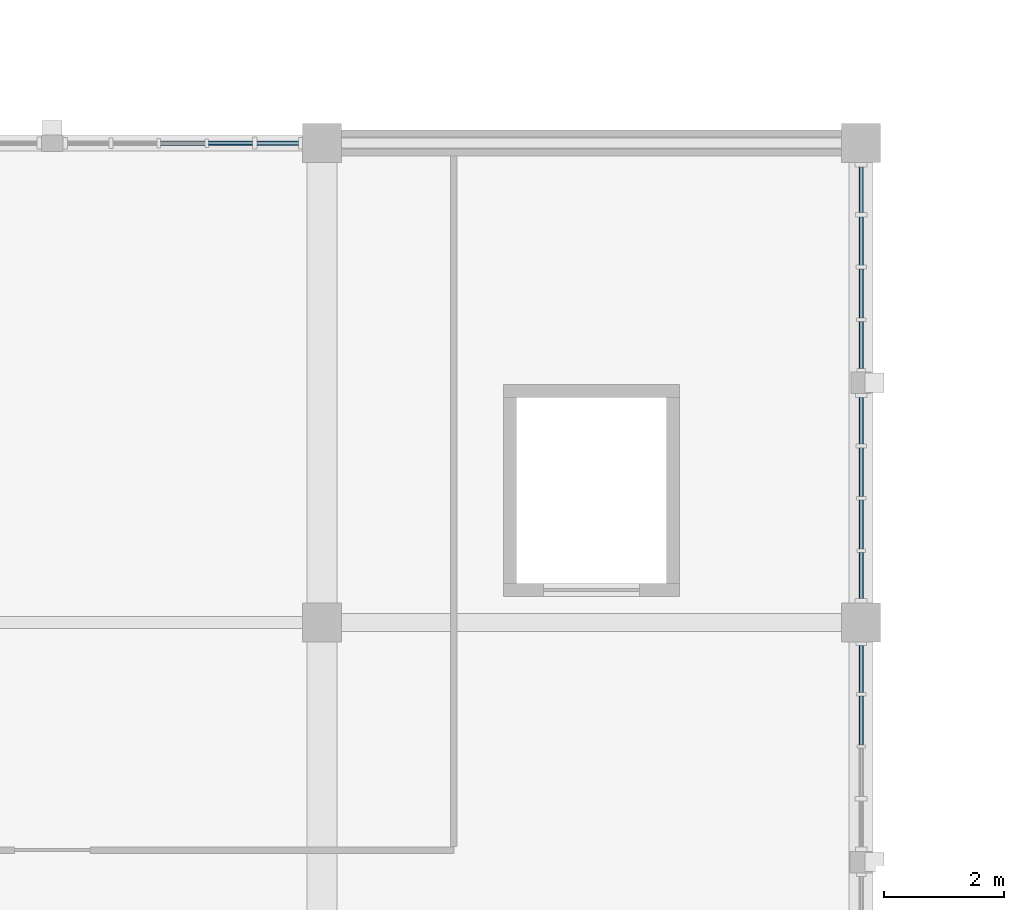
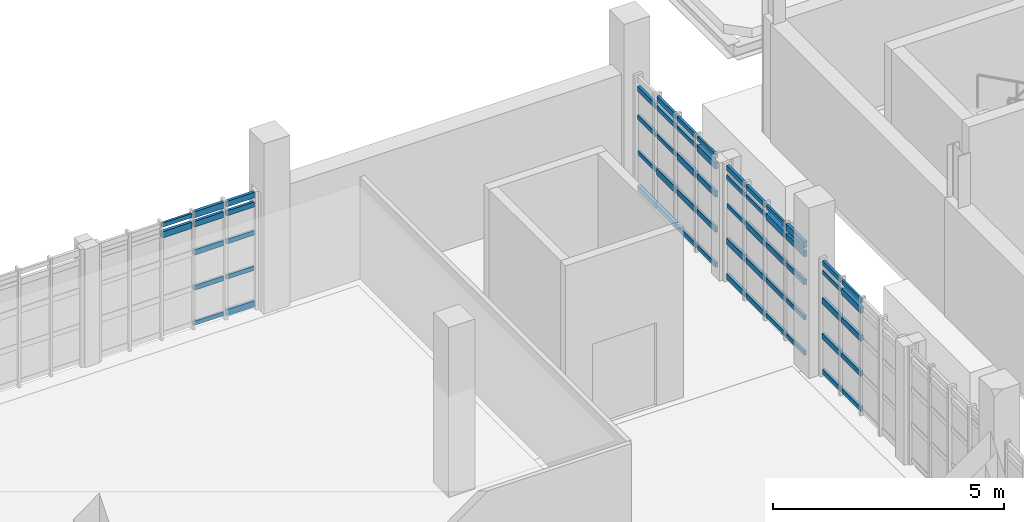
# One storey, part 65 of 125: 61 members, 4 elements without a shape of their own.
"""IFC4 building model written with IfcOpenShell, lengths in metres."""

from ifc_helpers import new_model, si_unit, direction, frame, origin, origin_2d, place, context, subcontext, project, spatial, rectangle, extrude, material, material_profile, profile_set, type_object, element, aggregate, save


model = new_model("IFC4")

# Units and contexts
model_context = context("Model", 3, precision=1e-05, world=origin(), true_north=direction((0.0, 1.0)))
body_context = subcontext(model_context, "Body", "Model", "MODEL_VIEW")
ifc_project = project(units=[si_unit("LENGTHUNIT", "METRE"), si_unit("AREAUNIT", "SQUARE_METRE"), si_unit("VOLUMEUNIT", "CUBIC_METRE"), si_unit("PLANEANGLEUNIT", "RADIAN"), si_unit("MASSUNIT", "GRAM", prefix="KILO")], contexts=[model_context])

# Site, building, storey
site_placement = place(None, origin())
site = spatial("IfcSite", under=ifc_project, at=site_placement, CompositionType="ELEMENT")
building_placement = place(site_placement, origin())
building = spatial("IfcBuilding", under=site, at=building_placement, Name="Serraforn Aerial Cableway Station", CompositionType="ELEMENT")
storey_placement = place(building_placement, frame((0.0, 0.0, 4.5)))
storey = spatial("IfcBuildingStorey", under=building, at=storey_placement, Name="L01", CompositionType="ELEMENT", Elevation=4.5)

# Curtain wall, members
ifc_material_1 = material(Name="Anodised bronze unitised curtain wall")
curtain_wall_type_1 = type_object("IfcCurtainWallType", Name="CW-SYS-27", PredefinedType="USERDEFINED", material=ifc_material_1)
curtain_wall_1_placement = place(storey_placement, origin())
curtain_wall_1 = element("IfcCurtainWall", 1, at=curtain_wall_1_placement, inside=storey, type_object=curtain_wall_type_1, Name="Unitised Curtain Wall CW-CV-L01-N6A", ObjectType="UNITISED CURTAIN WALL", PredefinedType="USERDEFINED")
ifc_material_2 = material(Name="Anodised bronze extruded aluminium", Category="aluminium")
ifc_material_profile_1 = material_profile(ifc_material_2, rectangle(XDim=0.054931640625, YDim=0.110107421875, at=origin_2d()), Name="CW TRANSOM 55x110")
ifc_profile_set_1 = profile_set([ifc_material_profile_1], Name="Anodised bronze extruded aluminium")
member_type_1 = type_object("IfcMemberType", Name="CW-TRN-1", PredefinedType="USERDEFINED", material=ifc_profile_set_1)
member_1_placement = place(storey_placement, frame((81.208984375, 42.0, 1.060791015625), z_axis=(-1.0, 0.0, 0.0), x_axis=(0.0, -1.0, 0.0)))
member_1 = element("IfcMember", 2, at=member_1_placement, type_object=member_type_1, Name="Curtain Wall Transom CW-CV-L01-N6A-T1-2", ObjectType="TRANSOM", PredefinedType="USERDEFINED", context=body_context, shape_type="SweptSolid", body=[
    extrude(rectangle(XDim=0.054931640625, YDim=0.110107421875, at=origin_2d()), origin(), (0.0, 0.0, 1.0), 0.69580078125),
])
member_2_placement = place(storey_placement, frame((80.442138671875, 42.0, 0.124755859375), z_axis=(-1.0, 0.0, 0.0), x_axis=(0.0, -1.0, 0.0)))
member_2 = element("IfcMember", 3, at=member_2_placement, type_object=member_type_1, Name="Curtain Wall Transom CW-CV-L01-N6A-T2-1", ObjectType="TRANSOM", PredefinedType="USERDEFINED", context=body_context, shape_type="SweptSolid", body=[
    extrude(rectangle(XDim=0.054931640625, YDim=0.110107421875, at=origin_2d()), origin(), (0.0, 0.0, 1.0), 0.738525390625),
])
member_3_placement = place(storey_placement, frame((79.652587890625, 42.0, 2.9951171875), z_axis=(-1.0, 0.0, 0.0), x_axis=(0.0, -1.0, 0.0)))
member_3 = element("IfcMember", 4, at=member_3_placement, type_object=member_type_1, Name="Curtain Wall Transom CW-CV-L01-N6A-T3-5", ObjectType="TRANSOM", PredefinedType="USERDEFINED", context=body_context, shape_type="SweptSolid", body=[
    extrude(rectangle(XDim=0.054931640625, YDim=0.110107421875, at=origin_2d()), origin(), (0.0, 0.0, 1.0), 0.745849609375),
])

curtain_wall_type_2 = type_object("IfcCurtainWallType", Name="CW-SYS-4", PredefinedType="USERDEFINED", material=ifc_material_1)
curtain_wall_2_placement = place(storey_placement, origin())
curtain_wall_2 = element("IfcCurtainWall", 5, at=curtain_wall_2_placement, inside=storey, type_object=curtain_wall_type_2, Name="Unitised Curtain Wall CW-CV-L01-E2B", ObjectType="UNITISED CURTAIN WALL", PredefinedType="USERDEFINED")
member_4_placement = place(storey_placement, frame((90.60009765625, 31.9541015625, 2.9951171875), z_axis=(0.0, 1.0, 0.0), x_axis=(-1.0, 0.0, 0.0)))
member_4 = element("IfcMember", 6, at=member_4_placement, type_object=member_type_1, Name="Curtain Wall Transom CW-CV-L01-E2B-T3-5", ObjectType="TRANSOM", PredefinedType="USERDEFINED", context=body_context, shape_type="SweptSolid", body=[
    extrude(rectangle(XDim=0.054931640625, YDim=0.110107421875, at=origin_2d()), origin(), (0.0, 0.0, 1.0), 0.820556640625),
])
member_5_placement = place(storey_placement, frame((90.60009765625, 32.830810546875, 2.74560546875), z_axis=(0.0, 1.0, 0.0), x_axis=(-1.0, 0.0, 0.0)))
member_5 = element("IfcMember", 7, at=member_5_placement, type_object=member_type_1, Name="Curtain Wall Transom CW-CV-L01-E2B-T4-4", ObjectType="TRANSOM", PredefinedType="USERDEFINED", context=body_context, shape_type="SweptSolid", body=[
    extrude(rectangle(XDim=0.054931640625, YDim=0.110107421875, at=origin_2d()), origin(), (0.0, 0.0, 1.0), 0.783203125),
])

curtain_wall_type_3 = type_object("IfcCurtainWallType", Name="CW-SYS-5", PredefinedType="USERDEFINED", material=ifc_material_1)
curtain_wall_3_placement = place(storey_placement, origin())
curtain_wall_3 = element("IfcCurtainWall", 8, at=curtain_wall_3_placement, inside=storey, type_object=curtain_wall_type_3, Name="Unitised Curtain Wall CW-CV-L01-E3A", ObjectType="UNITISED CURTAIN WALL", PredefinedType="USERDEFINED")
member_6_placement = place(storey_placement, frame((90.60009765625, 34.39599609375, 0.124755859375), z_axis=(0.0, 1.0, 0.0), x_axis=(-1.0, 0.0, 0.0)))
member_6 = element("IfcMember", 9, at=member_6_placement, type_object=member_type_1, Name="Curtain Wall Transom CW-CV-L01-E3A-T1-1", ObjectType="TRANSOM", PredefinedType="USERDEFINED", context=body_context, shape_type="SweptSolid", body=[
    extrude(rectangle(XDim=0.054931640625, YDim=0.110107421875, at=origin_2d()), origin(), (0.0, 0.0, 1.0), 0.77587890625),
])
member_7_placement = place(storey_placement, frame((90.60009765625, 35.22265625, 2.9951171875), z_axis=(0.0, 1.0, 0.0), x_axis=(-1.0, 0.0, 0.0)))
member_7 = element("IfcMember", 10, at=member_7_placement, type_object=member_type_1, Name="Curtain Wall Transom CW-CV-L01-E3A-T2-5", ObjectType="TRANSOM", PredefinedType="USERDEFINED", context=body_context, shape_type="SweptSolid", body=[
    extrude(rectangle(XDim=0.054931640625, YDim=0.110107421875, at=origin_2d()), origin(), (0.0, 0.0, 1.0), 0.82080078125),
])
member_8_placement = place(storey_placement, frame((90.60009765625, 36.099609375, 2.74560546875), z_axis=(0.0, 1.0, 0.0), x_axis=(-1.0, 0.0, 0.0)))
member_8 = element("IfcMember", 11, at=member_8_placement, type_object=member_type_1, Name="Curtain Wall Transom CW-CV-L01-E3A-T3-4", ObjectType="TRANSOM", PredefinedType="USERDEFINED", context=body_context, shape_type="SweptSolid", body=[
    extrude(rectangle(XDim=0.054931640625, YDim=0.110107421875, at=origin_2d()), origin(), (0.0, 0.0, 1.0), 0.815673828125),
])
member_9_placement = place(storey_placement, frame((90.60009765625, 36.976318359375, 1.996826171875), z_axis=(0.0, 1.0, 0.0), x_axis=(-1.0, 0.0, 0.0)))
member_9 = element("IfcMember", 12, at=member_9_placement, type_object=member_type_1, Name="Curtain Wall Transom CW-CV-L01-E3A-T4-3", ObjectType="TRANSOM", PredefinedType="USERDEFINED", context=body_context, shape_type="SweptSolid", body=[
    extrude(rectangle(XDim=0.054931640625, YDim=0.110107421875, at=origin_2d()), origin(), (0.0, 0.0, 1.0), 0.775634765625),
])

curtain_wall_type_4 = type_object("IfcCurtainWallType", Name="CW-SYS-6", PredefinedType="USERDEFINED", material=ifc_material_1)
curtain_wall_4_placement = place(storey_placement, origin())
curtain_wall_4 = element("IfcCurtainWall", 13, at=curtain_wall_4_placement, inside=storey, type_object=curtain_wall_type_4, Name="Unitised Curtain Wall CW-CV-L01-E3B", ObjectType="UNITISED CURTAIN WALL", PredefinedType="USERDEFINED")
member_10_placement = place(storey_placement, frame((90.60009765625, 38.23291015625, 2.9951171875), z_axis=(0.0, 1.0, 0.0), x_axis=(-1.0, 0.0, 0.0)))
member_10 = element("IfcMember", 14, at=member_10_placement, type_object=member_type_1, Name="Curtain Wall Transom CW-CV-L01-E3B-T1-5", ObjectType="TRANSOM", PredefinedType="USERDEFINED", context=body_context, shape_type="SweptSolid", body=[
    extrude(rectangle(XDim=0.054931640625, YDim=0.110107421875, at=origin_2d()), origin(), (0.0, 0.0, 1.0), 0.793212890625),
])
member_11_placement = place(storey_placement, frame((90.60009765625, 39.082275390625, 2.74560546875), z_axis=(0.0, 1.0, 0.0), x_axis=(-1.0, 0.0, 0.0)))
member_11 = element("IfcMember", 15, at=member_11_placement, type_object=member_type_1, Name="Curtain Wall Transom CW-CV-L01-E3B-T2-4", ObjectType="TRANSOM", PredefinedType="USERDEFINED", context=body_context, shape_type="SweptSolid", body=[
    extrude(rectangle(XDim=0.054931640625, YDim=0.110107421875, at=origin_2d()), origin(), (0.0, 0.0, 1.0), 0.815673828125),
])
member_12_placement = place(storey_placement, frame((90.60009765625, 39.958984375, 1.996826171875), z_axis=(0.0, 1.0, 0.0), x_axis=(-1.0, 0.0, 0.0)))
member_12 = element("IfcMember", 16, at=member_12_placement, type_object=member_type_1, Name="Curtain Wall Transom CW-CV-L01-E3B-T3-3", ObjectType="TRANSOM", PredefinedType="USERDEFINED", context=body_context, shape_type="SweptSolid", body=[
    extrude(rectangle(XDim=0.054931640625, YDim=0.110107421875, at=origin_2d()), origin(), (0.0, 0.0, 1.0), 0.810791015625),
])
member_13_placement = place(storey_placement, frame((90.60009765625, 40.835693359375, 1.060791015625), z_axis=(0.0, 1.0, 0.0), x_axis=(-1.0, 0.0, 0.0)))
member_13 = element("IfcMember", 17, at=member_13_placement, type_object=member_type_1, Name="Curtain Wall Transom CW-CV-L01-E3B-T4-2", ObjectType="TRANSOM", PredefinedType="USERDEFINED", context=body_context, shape_type="SweptSolid", body=[
    extrude(rectangle(XDim=0.054931640625, YDim=0.110107421875, at=origin_2d()), origin(), (0.0, 0.0, 1.0), 0.768310546875),
])

# Member
ifc_material_profile_2 = material_profile(ifc_material_2, rectangle(XDim=0.06005859375, YDim=0.1201171875, at=origin_2d()), Name="CW TRANSOM 60x120")
ifc_profile_set_2 = profile_set([ifc_material_profile_2], Name="Anodised bronze extruded aluminium")
member_type_2 = type_object("IfcMemberType", Name="CW-TRN-2", PredefinedType="USERDEFINED", material=ifc_profile_set_2)
member_14_placement = place(storey_placement, frame((81.208984375, 42.0, 1.996826171875), z_axis=(-1.0, 0.0, 0.0), x_axis=(0.0, -1.0, 0.0)))
member_14 = element("IfcMember", 18, at=member_14_placement, type_object=member_type_2, Name="Curtain Wall Transom CW-CV-L01-N6A-T1-3", ObjectType="TRANSOM", PredefinedType="USERDEFINED", context=body_context, shape_type="SweptSolid", body=[
    extrude(rectangle(XDim=0.06005859375, YDim=0.1201171875, at=origin_2d()), origin(), (0.0, 0.0, 1.0), 0.69580078125),
])

member_15_placement = place(storey_placement, frame((80.442138671875, 42.0, 1.060791015625), z_axis=(-1.0, 0.0, 0.0), x_axis=(0.0, -1.0, 0.0)))
member_15 = element("IfcMember", 19, at=member_15_placement, type_object=member_type_2, Name="Curtain Wall Transom CW-CV-L01-N6A-T2-2", ObjectType="TRANSOM", PredefinedType="USERDEFINED", context=body_context, shape_type="SweptSolid", body=[
    extrude(rectangle(XDim=0.06005859375, YDim=0.1201171875, at=origin_2d()), origin(), (0.0, 0.0, 1.0), 0.738525390625),
])

member_16_placement = place(storey_placement, frame((90.60009765625, 31.9541015625, 0.124755859375), z_axis=(0.0, 1.0, 0.0), x_axis=(-1.0, 0.0, 0.0)))
member_16 = element("IfcMember", 20, at=member_16_placement, type_object=member_type_2, Name="Curtain Wall Transom CW-CV-L01-E2B-T3-1", ObjectType="TRANSOM", PredefinedType="USERDEFINED", context=body_context, shape_type="SweptSolid", body=[
    extrude(rectangle(XDim=0.06005859375, YDim=0.1201171875, at=origin_2d()), origin(), (0.0, 0.0, 1.0), 0.820556640625),
])

member_17_placement = place(storey_placement, frame((90.60009765625, 32.830810546875, 2.9951171875), z_axis=(0.0, 1.0, 0.0), x_axis=(-1.0, 0.0, 0.0)))
member_17 = element("IfcMember", 21, at=member_17_placement, type_object=member_type_2, Name="Curtain Wall Transom CW-CV-L01-E2B-T4-5", ObjectType="TRANSOM", PredefinedType="USERDEFINED", context=body_context, shape_type="SweptSolid", body=[
    extrude(rectangle(XDim=0.06005859375, YDim=0.1201171875, at=origin_2d()), origin(), (0.0, 0.0, 1.0), 0.783203125),
])

member_18_placement = place(storey_placement, frame((90.60009765625, 34.39599609375, 1.060791015625), z_axis=(0.0, 1.0, 0.0), x_axis=(-1.0, 0.0, 0.0)))
member_18 = element("IfcMember", 22, at=member_18_placement, type_object=member_type_2, Name="Curtain Wall Transom CW-CV-L01-E3A-T1-2", ObjectType="TRANSOM", PredefinedType="USERDEFINED", context=body_context, shape_type="SweptSolid", body=[
    extrude(rectangle(XDim=0.06005859375, YDim=0.1201171875, at=origin_2d()), origin(), (0.0, 0.0, 1.0), 0.77587890625),
])

member_19_placement = place(storey_placement, frame((90.60009765625, 35.22265625, 0.124755859375), z_axis=(0.0, 1.0, 0.0), x_axis=(-1.0, 0.0, 0.0)))
member_19 = element("IfcMember", 23, at=member_19_placement, type_object=member_type_2, Name="Curtain Wall Transom CW-CV-L01-E3A-T2-1", ObjectType="TRANSOM", PredefinedType="USERDEFINED", context=body_context, shape_type="SweptSolid", body=[
    extrude(rectangle(XDim=0.06005859375, YDim=0.1201171875, at=origin_2d()), origin(), (0.0, 0.0, 1.0), 0.82080078125),
])

member_20_placement = place(storey_placement, frame((90.60009765625, 36.099609375, 2.9951171875), z_axis=(0.0, 1.0, 0.0), x_axis=(-1.0, 0.0, 0.0)))
member_20 = element("IfcMember", 24, at=member_20_placement, type_object=member_type_2, Name="Curtain Wall Transom CW-CV-L01-E3A-T3-5", ObjectType="TRANSOM", PredefinedType="USERDEFINED", context=body_context, shape_type="SweptSolid", body=[
    extrude(rectangle(XDim=0.06005859375, YDim=0.1201171875, at=origin_2d()), origin(), (0.0, 0.0, 1.0), 0.815673828125),
])

member_21_placement = place(storey_placement, frame((90.60009765625, 36.976318359375, 2.74560546875), z_axis=(0.0, 1.0, 0.0), x_axis=(-1.0, 0.0, 0.0)))
member_21 = element("IfcMember", 25, at=member_21_placement, type_object=member_type_2, Name="Curtain Wall Transom CW-CV-L01-E3A-T4-4", ObjectType="TRANSOM", PredefinedType="USERDEFINED", context=body_context, shape_type="SweptSolid", body=[
    extrude(rectangle(XDim=0.06005859375, YDim=0.1201171875, at=origin_2d()), origin(), (0.0, 0.0, 1.0), 0.775634765625),
])

member_22_placement = place(storey_placement, frame((90.60009765625, 38.23291015625, 0.124755859375), z_axis=(0.0, 1.0, 0.0), x_axis=(-1.0, 0.0, 0.0)))
member_22 = element("IfcMember", 26, at=member_22_placement, type_object=member_type_2, Name="Curtain Wall Transom CW-CV-L01-E3B-T1-1", ObjectType="TRANSOM", PredefinedType="USERDEFINED", context=body_context, shape_type="SweptSolid", body=[
    extrude(rectangle(XDim=0.06005859375, YDim=0.1201171875, at=origin_2d()), origin(), (0.0, 0.0, 1.0), 0.793212890625),
])

member_23_placement = place(storey_placement, frame((90.60009765625, 39.082275390625, 2.9951171875), z_axis=(0.0, 1.0, 0.0), x_axis=(-1.0, 0.0, 0.0)))
member_23 = element("IfcMember", 27, at=member_23_placement, type_object=member_type_2, Name="Curtain Wall Transom CW-CV-L01-E3B-T2-5", ObjectType="TRANSOM", PredefinedType="USERDEFINED", context=body_context, shape_type="SweptSolid", body=[
    extrude(rectangle(XDim=0.06005859375, YDim=0.1201171875, at=origin_2d()), origin(), (0.0, 0.0, 1.0), 0.815673828125),
])

member_24_placement = place(storey_placement, frame((90.60009765625, 39.958984375, 2.74560546875), z_axis=(0.0, 1.0, 0.0), x_axis=(-1.0, 0.0, 0.0)))
member_24 = element("IfcMember", 28, at=member_24_placement, type_object=member_type_2, Name="Curtain Wall Transom CW-CV-L01-E3B-T3-4", ObjectType="TRANSOM", PredefinedType="USERDEFINED", context=body_context, shape_type="SweptSolid", body=[
    extrude(rectangle(XDim=0.06005859375, YDim=0.1201171875, at=origin_2d()), origin(), (0.0, 0.0, 1.0), 0.810791015625),
])

member_25_placement = place(storey_placement, frame((90.60009765625, 40.835693359375, 1.996826171875), z_axis=(0.0, 1.0, 0.0), x_axis=(-1.0, 0.0, 0.0)))
member_25 = element("IfcMember", 29, at=member_25_placement, type_object=member_type_2, Name="Curtain Wall Transom CW-CV-L01-E3B-T4-3", ObjectType="TRANSOM", PredefinedType="USERDEFINED", context=body_context, shape_type="SweptSolid", body=[
    extrude(rectangle(XDim=0.06005859375, YDim=0.1201171875, at=origin_2d()), origin(), (0.0, 0.0, 1.0), 0.768310546875),
])

ifc_material_profile_3 = material_profile(ifc_material_2, rectangle(XDim=0.06494140625, YDim=0.135009765625, at=origin_2d()), Name="CW TRANSOM 65x135")
ifc_profile_set_3 = profile_set([ifc_material_profile_3], Name="Anodised bronze extruded aluminium")
member_type_3 = type_object("IfcMemberType", Name="CW-TRN-3", PredefinedType="USERDEFINED", material=ifc_profile_set_3)
member_26_placement = place(storey_placement, frame((81.208984375, 42.0, 2.74560546875), z_axis=(-1.0, 0.0, 0.0), x_axis=(0.0, -1.0, 0.0)))
member_26 = element("IfcMember", 30, at=member_26_placement, type_object=member_type_3, Name="Curtain Wall Transom CW-CV-L01-N6A-T1-4", ObjectType="TRANSOM", PredefinedType="USERDEFINED", context=body_context, shape_type="SweptSolid", body=[
    extrude(rectangle(XDim=0.06494140625, YDim=0.135009765625, at=origin_2d()), origin(), (0.0, 0.0, 1.0), 0.69580078125),
])

member_27_placement = place(storey_placement, frame((80.442138671875, 42.0, 1.996826171875), z_axis=(-1.0, 0.0, 0.0), x_axis=(0.0, -1.0, 0.0)))
member_27 = element("IfcMember", 31, at=member_27_placement, type_object=member_type_3, Name="Curtain Wall Transom CW-CV-L01-N6A-T2-3", ObjectType="TRANSOM", PredefinedType="USERDEFINED", context=body_context, shape_type="SweptSolid", body=[
    extrude(rectangle(XDim=0.06494140625, YDim=0.135009765625, at=origin_2d()), origin(), (0.0, 0.0, 1.0), 0.738525390625),
])

member_28_placement = place(storey_placement, frame((90.60009765625, 31.9541015625, 1.060791015625), z_axis=(0.0, 1.0, 0.0), x_axis=(-1.0, 0.0, 0.0)))
member_28 = element("IfcMember", 32, at=member_28_placement, type_object=member_type_3, Name="Curtain Wall Transom CW-CV-L01-E2B-T3-2", ObjectType="TRANSOM", PredefinedType="USERDEFINED", context=body_context, shape_type="SweptSolid", body=[
    extrude(rectangle(XDim=0.06494140625, YDim=0.135009765625, at=origin_2d()), origin(), (0.0, 0.0, 1.0), 0.820556640625),
])

member_29_placement = place(storey_placement, frame((90.60009765625, 32.830810546875, 0.124755859375), z_axis=(0.0, 1.0, 0.0), x_axis=(-1.0, 0.0, 0.0)))
member_29 = element("IfcMember", 33, at=member_29_placement, type_object=member_type_3, Name="Curtain Wall Transom CW-CV-L01-E2B-T4-1", ObjectType="TRANSOM", PredefinedType="USERDEFINED", context=body_context, shape_type="SweptSolid", body=[
    extrude(rectangle(XDim=0.06494140625, YDim=0.135009765625, at=origin_2d()), origin(), (0.0, 0.0, 1.0), 0.783203125),
])

member_30_placement = place(storey_placement, frame((90.60009765625, 34.39599609375, 1.996826171875), z_axis=(0.0, 1.0, 0.0), x_axis=(-1.0, 0.0, 0.0)))
member_30 = element("IfcMember", 34, at=member_30_placement, type_object=member_type_3, Name="Curtain Wall Transom CW-CV-L01-E3A-T1-3", ObjectType="TRANSOM", PredefinedType="USERDEFINED", context=body_context, shape_type="SweptSolid", body=[
    extrude(rectangle(XDim=0.06494140625, YDim=0.135009765625, at=origin_2d()), origin(), (0.0, 0.0, 1.0), 0.77587890625),
])

member_31_placement = place(storey_placement, frame((90.60009765625, 35.22265625, 1.060791015625), z_axis=(0.0, 1.0, 0.0), x_axis=(-1.0, 0.0, 0.0)))
member_31 = element("IfcMember", 35, at=member_31_placement, type_object=member_type_3, Name="Curtain Wall Transom CW-CV-L01-E3A-T2-2", ObjectType="TRANSOM", PredefinedType="USERDEFINED", context=body_context, shape_type="SweptSolid", body=[
    extrude(rectangle(XDim=0.06494140625, YDim=0.135009765625, at=origin_2d()), origin(), (0.0, 0.0, 1.0), 0.82080078125),
])

member_32_placement = place(storey_placement, frame((90.60009765625, 36.099609375, 0.124755859375), z_axis=(0.0, 1.0, 0.0), x_axis=(-1.0, 0.0, 0.0)))
member_32 = element("IfcMember", 36, at=member_32_placement, type_object=member_type_3, Name="Curtain Wall Transom CW-CV-L01-E3A-T3-1", ObjectType="TRANSOM", PredefinedType="USERDEFINED", context=body_context, shape_type="SweptSolid", body=[
    extrude(rectangle(XDim=0.06494140625, YDim=0.135009765625, at=origin_2d()), origin(), (0.0, 0.0, 1.0), 0.815673828125),
])

member_33_placement = place(storey_placement, frame((90.60009765625, 36.976318359375, 2.9951171875), z_axis=(0.0, 1.0, 0.0), x_axis=(-1.0, 0.0, 0.0)))
member_33 = element("IfcMember", 37, at=member_33_placement, type_object=member_type_3, Name="Curtain Wall Transom CW-CV-L01-E3A-T4-5", ObjectType="TRANSOM", PredefinedType="USERDEFINED", context=body_context, shape_type="SweptSolid", body=[
    extrude(rectangle(XDim=0.06494140625, YDim=0.135009765625, at=origin_2d()), origin(), (0.0, 0.0, 1.0), 0.775634765625),
])

member_34_placement = place(storey_placement, frame((90.60009765625, 38.23291015625, 1.060791015625), z_axis=(0.0, 1.0, 0.0), x_axis=(-1.0, 0.0, 0.0)))
member_34 = element("IfcMember", 38, at=member_34_placement, type_object=member_type_3, Name="Curtain Wall Transom CW-CV-L01-E3B-T1-2", ObjectType="TRANSOM", PredefinedType="USERDEFINED", context=body_context, shape_type="SweptSolid", body=[
    extrude(rectangle(XDim=0.06494140625, YDim=0.135009765625, at=origin_2d()), origin(), (0.0, 0.0, 1.0), 0.793212890625),
])

member_35_placement = place(storey_placement, frame((90.60009765625, 39.082275390625, 0.124755859375), z_axis=(0.0, 1.0, 0.0), x_axis=(-1.0, 0.0, 0.0)))
member_35 = element("IfcMember", 39, at=member_35_placement, type_object=member_type_3, Name="Curtain Wall Transom CW-CV-L01-E3B-T2-1", ObjectType="TRANSOM", PredefinedType="USERDEFINED", context=body_context, shape_type="SweptSolid", body=[
    extrude(rectangle(XDim=0.06494140625, YDim=0.135009765625, at=origin_2d()), origin(), (0.0, 0.0, 1.0), 0.815673828125),
])

member_36_placement = place(storey_placement, frame((90.60009765625, 39.958984375, 2.9951171875), z_axis=(0.0, 1.0, 0.0), x_axis=(-1.0, 0.0, 0.0)))
member_36 = element("IfcMember", 40, at=member_36_placement, type_object=member_type_3, Name="Curtain Wall Transom CW-CV-L01-E3B-T3-5", ObjectType="TRANSOM", PredefinedType="USERDEFINED", context=body_context, shape_type="SweptSolid", body=[
    extrude(rectangle(XDim=0.06494140625, YDim=0.135009765625, at=origin_2d()), origin(), (0.0, 0.0, 1.0), 0.810791015625),
])

member_37_placement = place(storey_placement, frame((90.60009765625, 40.835693359375, 2.74560546875), z_axis=(0.0, 1.0, 0.0), x_axis=(-1.0, 0.0, 0.0)))
member_37 = element("IfcMember", 41, at=member_37_placement, type_object=member_type_3, Name="Curtain Wall Transom CW-CV-L01-E3B-T4-4", ObjectType="TRANSOM", PredefinedType="USERDEFINED", context=body_context, shape_type="SweptSolid", body=[
    extrude(rectangle(XDim=0.06494140625, YDim=0.135009765625, at=origin_2d()), origin(), (0.0, 0.0, 1.0), 0.768310546875),
])

ifc_material_profile_4 = material_profile(ifc_material_2, rectangle(XDim=0.070068359375, YDim=0.14990234375, at=origin_2d()), Name="CW TRANSOM 70x150")
ifc_profile_set_4 = profile_set([ifc_material_profile_4], Name="Anodised bronze extruded aluminium")
member_type_4 = type_object("IfcMemberType", Name="CW-TRN-4", PredefinedType="USERDEFINED", material=ifc_profile_set_4)
member_38_placement = place(storey_placement, frame((81.208984375, 42.0, 2.9951171875), z_axis=(-1.0, 0.0, 0.0), x_axis=(0.0, -1.0, 0.0)))
member_38 = element("IfcMember", 42, at=member_38_placement, type_object=member_type_4, Name="Curtain Wall Transom CW-CV-L01-N6A-T1-5", ObjectType="TRANSOM", PredefinedType="USERDEFINED", context=body_context, shape_type="SweptSolid", body=[
    extrude(rectangle(XDim=0.070068359375, YDim=0.14990234375, at=origin_2d()), origin(), (0.0, 0.0, 1.0), 0.69580078125),
])

member_39_placement = place(storey_placement, frame((80.442138671875, 42.0, 2.74560546875), z_axis=(-1.0, 0.0, 0.0), x_axis=(0.0, -1.0, 0.0)))
member_39 = element("IfcMember", 43, at=member_39_placement, type_object=member_type_4, Name="Curtain Wall Transom CW-CV-L01-N6A-T2-4", ObjectType="TRANSOM", PredefinedType="USERDEFINED", context=body_context, shape_type="SweptSolid", body=[
    extrude(rectangle(XDim=0.070068359375, YDim=0.14990234375, at=origin_2d()), origin(), (0.0, 0.0, 1.0), 0.738525390625),
])

member_40_placement = place(storey_placement, frame((90.60009765625, 31.9541015625, 1.996826171875), z_axis=(0.0, 1.0, 0.0), x_axis=(-1.0, 0.0, 0.0)))
member_40 = element("IfcMember", 44, at=member_40_placement, type_object=member_type_4, Name="Curtain Wall Transom CW-CV-L01-E2B-T3-3", ObjectType="TRANSOM", PredefinedType="USERDEFINED", context=body_context, shape_type="SweptSolid", body=[
    extrude(rectangle(XDim=0.070068359375, YDim=0.14990234375, at=origin_2d()), origin(), (0.0, 0.0, 1.0), 0.820556640625),
])

member_41_placement = place(storey_placement, frame((90.60009765625, 32.830810546875, 1.060791015625), z_axis=(0.0, 1.0, 0.0), x_axis=(-1.0, 0.0, 0.0)))
member_41 = element("IfcMember", 45, at=member_41_placement, type_object=member_type_4, Name="Curtain Wall Transom CW-CV-L01-E2B-T4-2", ObjectType="TRANSOM", PredefinedType="USERDEFINED", context=body_context, shape_type="SweptSolid", body=[
    extrude(rectangle(XDim=0.070068359375, YDim=0.14990234375, at=origin_2d()), origin(), (0.0, 0.0, 1.0), 0.783203125),
])

member_42_placement = place(storey_placement, frame((90.60009765625, 34.39599609375, 2.74560546875), z_axis=(0.0, 1.0, 0.0), x_axis=(-1.0, 0.0, 0.0)))
member_42 = element("IfcMember", 46, at=member_42_placement, type_object=member_type_4, Name="Curtain Wall Transom CW-CV-L01-E3A-T1-4", ObjectType="TRANSOM", PredefinedType="USERDEFINED", context=body_context, shape_type="SweptSolid", body=[
    extrude(rectangle(XDim=0.070068359375, YDim=0.14990234375, at=origin_2d()), origin(), (0.0, 0.0, 1.0), 0.77587890625),
])

member_43_placement = place(storey_placement, frame((90.60009765625, 35.22265625, 1.996826171875), z_axis=(0.0, 1.0, 0.0), x_axis=(-1.0, 0.0, 0.0)))
member_43 = element("IfcMember", 47, at=member_43_placement, type_object=member_type_4, Name="Curtain Wall Transom CW-CV-L01-E3A-T2-3", ObjectType="TRANSOM", PredefinedType="USERDEFINED", context=body_context, shape_type="SweptSolid", body=[
    extrude(rectangle(XDim=0.070068359375, YDim=0.14990234375, at=origin_2d()), origin(), (0.0, 0.0, 1.0), 0.82080078125),
])

member_44_placement = place(storey_placement, frame((90.60009765625, 36.099609375, 1.060791015625), z_axis=(0.0, 1.0, 0.0), x_axis=(-1.0, 0.0, 0.0)))
member_44 = element("IfcMember", 48, at=member_44_placement, type_object=member_type_4, Name="Curtain Wall Transom CW-CV-L01-E3A-T3-2", ObjectType="TRANSOM", PredefinedType="USERDEFINED", context=body_context, shape_type="SweptSolid", body=[
    extrude(rectangle(XDim=0.070068359375, YDim=0.14990234375, at=origin_2d()), origin(), (0.0, 0.0, 1.0), 0.815673828125),
])

member_45_placement = place(storey_placement, frame((90.60009765625, 36.976318359375, 0.124755859375), z_axis=(0.0, 1.0, 0.0), x_axis=(-1.0, 0.0, 0.0)))
member_45 = element("IfcMember", 49, at=member_45_placement, type_object=member_type_4, Name="Curtain Wall Transom CW-CV-L01-E3A-T4-1", ObjectType="TRANSOM", PredefinedType="USERDEFINED", context=body_context, shape_type="SweptSolid", body=[
    extrude(rectangle(XDim=0.070068359375, YDim=0.14990234375, at=origin_2d()), origin(), (0.0, 0.0, 1.0), 0.775634765625),
])

member_46_placement = place(storey_placement, frame((90.60009765625, 38.23291015625, 1.996826171875), z_axis=(0.0, 1.0, 0.0), x_axis=(-1.0, 0.0, 0.0)))
member_46 = element("IfcMember", 50, at=member_46_placement, type_object=member_type_4, Name="Curtain Wall Transom CW-CV-L01-E3B-T1-3", ObjectType="TRANSOM", PredefinedType="USERDEFINED", context=body_context, shape_type="SweptSolid", body=[
    extrude(rectangle(XDim=0.070068359375, YDim=0.14990234375, at=origin_2d()), origin(), (0.0, 0.0, 1.0), 0.793212890625),
])

member_47_placement = place(storey_placement, frame((90.60009765625, 39.082275390625, 1.060791015625), z_axis=(0.0, 1.0, 0.0), x_axis=(-1.0, 0.0, 0.0)))
member_47 = element("IfcMember", 51, at=member_47_placement, type_object=member_type_4, Name="Curtain Wall Transom CW-CV-L01-E3B-T2-2", ObjectType="TRANSOM", PredefinedType="USERDEFINED", context=body_context, shape_type="SweptSolid", body=[
    extrude(rectangle(XDim=0.070068359375, YDim=0.14990234375, at=origin_2d()), origin(), (0.0, 0.0, 1.0), 0.815673828125),
])

member_48_placement = place(storey_placement, frame((90.60009765625, 39.958984375, 0.124755859375), z_axis=(0.0, 1.0, 0.0), x_axis=(-1.0, 0.0, 0.0)))
member_48 = element("IfcMember", 52, at=member_48_placement, type_object=member_type_4, Name="Curtain Wall Transom CW-CV-L01-E3B-T3-1", ObjectType="TRANSOM", PredefinedType="USERDEFINED", context=body_context, shape_type="SweptSolid", body=[
    extrude(rectangle(XDim=0.070068359375, YDim=0.14990234375, at=origin_2d()), origin(), (0.0, 0.0, 1.0), 0.810791015625),
])

ifc_material_profile_5 = material_profile(ifc_material_2, rectangle(XDim=0.074951171875, YDim=0.1650390625, at=origin_2d()), Name="CW TRANSOM 75x165")
ifc_profile_set_5 = profile_set([ifc_material_profile_5], Name="Anodised bronze extruded aluminium")
member_type_5 = type_object("IfcMemberType", Name="CW-TRN-5", PredefinedType="USERDEFINED", material=ifc_profile_set_5)
member_49_placement = place(storey_placement, frame((81.208984375, 42.0, 0.124755859375), z_axis=(-1.0, 0.0, 0.0), x_axis=(0.0, -1.0, 0.0)))
member_49 = element("IfcMember", 53, at=member_49_placement, type_object=member_type_5, Name="Curtain Wall Transom CW-CV-L01-N6A-T1-1", ObjectType="TRANSOM", PredefinedType="USERDEFINED", context=body_context, shape_type="SweptSolid", body=[
    extrude(rectangle(XDim=0.074951171875, YDim=0.1650390625, at=origin_2d()), origin(), (0.0, 0.0, 1.0), 0.69580078125),
])

member_50_placement = place(storey_placement, frame((80.442138671875, 42.0, 2.9951171875), z_axis=(-1.0, 0.0, 0.0), x_axis=(0.0, -1.0, 0.0)))
member_50 = element("IfcMember", 54, at=member_50_placement, type_object=member_type_5, Name="Curtain Wall Transom CW-CV-L01-N6A-T2-5", ObjectType="TRANSOM", PredefinedType="USERDEFINED", context=body_context, shape_type="SweptSolid", body=[
    extrude(rectangle(XDim=0.074951171875, YDim=0.1650390625, at=origin_2d()), origin(), (0.0, 0.0, 1.0), 0.738525390625),
])

member_51_placement = place(storey_placement, frame((79.652587890625, 42.0, 2.74560546875), z_axis=(-1.0, 0.0, 0.0), x_axis=(0.0, -1.0, 0.0)))
member_51 = element("IfcMember", 55, at=member_51_placement, type_object=member_type_5, Name="Curtain Wall Transom CW-CV-L01-N6A-T3-4", ObjectType="TRANSOM", PredefinedType="USERDEFINED", context=body_context, shape_type="SweptSolid", body=[
    extrude(rectangle(XDim=0.074951171875, YDim=0.1650390625, at=origin_2d()), origin(), (0.0, 0.0, 1.0), 0.745849609375),
])

aggregate(curtain_wall_1, [member_49, member_1, member_14, member_26, member_38, member_2, member_15, member_27, member_39, member_50, member_51, member_3])

member_52_placement = place(storey_placement, frame((90.60009765625, 31.9541015625, 2.74560546875), z_axis=(0.0, 1.0, 0.0), x_axis=(-1.0, 0.0, 0.0)))
member_52 = element("IfcMember", 56, at=member_52_placement, type_object=member_type_5, Name="Curtain Wall Transom CW-CV-L01-E2B-T3-4", ObjectType="TRANSOM", PredefinedType="USERDEFINED", context=body_context, shape_type="SweptSolid", body=[
    extrude(rectangle(XDim=0.074951171875, YDim=0.1650390625, at=origin_2d()), origin(), (0.0, 0.0, 1.0), 0.820556640625),
])

member_53_placement = place(storey_placement, frame((90.60009765625, 32.830810546875, 1.996826171875), z_axis=(0.0, 1.0, 0.0), x_axis=(-1.0, 0.0, 0.0)))
member_53 = element("IfcMember", 57, at=member_53_placement, type_object=member_type_5, Name="Curtain Wall Transom CW-CV-L01-E2B-T4-3", ObjectType="TRANSOM", PredefinedType="USERDEFINED", context=body_context, shape_type="SweptSolid", body=[
    extrude(rectangle(XDim=0.074951171875, YDim=0.1650390625, at=origin_2d()), origin(), (0.0, 0.0, 1.0), 0.783203125),
])

aggregate(curtain_wall_2, [member_16, member_28, member_40, member_52, member_4, member_29, member_41, member_53, member_5, member_17])

member_54_placement = place(storey_placement, frame((90.60009765625, 34.39599609375, 2.9951171875), z_axis=(0.0, 1.0, 0.0), x_axis=(-1.0, 0.0, 0.0)))
member_54 = element("IfcMember", 58, at=member_54_placement, type_object=member_type_5, Name="Curtain Wall Transom CW-CV-L01-E3A-T1-5", ObjectType="TRANSOM", PredefinedType="USERDEFINED", context=body_context, shape_type="SweptSolid", body=[
    extrude(rectangle(XDim=0.074951171875, YDim=0.1650390625, at=origin_2d()), origin(), (0.0, 0.0, 1.0), 0.77587890625),
])

member_55_placement = place(storey_placement, frame((90.60009765625, 35.22265625, 2.74560546875), z_axis=(0.0, 1.0, 0.0), x_axis=(-1.0, 0.0, 0.0)))
member_55 = element("IfcMember", 59, at=member_55_placement, type_object=member_type_5, Name="Curtain Wall Transom CW-CV-L01-E3A-T2-4", ObjectType="TRANSOM", PredefinedType="USERDEFINED", context=body_context, shape_type="SweptSolid", body=[
    extrude(rectangle(XDim=0.074951171875, YDim=0.1650390625, at=origin_2d()), origin(), (0.0, 0.0, 1.0), 0.82080078125),
])

member_56_placement = place(storey_placement, frame((90.60009765625, 36.099609375, 1.996826171875), z_axis=(0.0, 1.0, 0.0), x_axis=(-1.0, 0.0, 0.0)))
member_56 = element("IfcMember", 60, at=member_56_placement, type_object=member_type_5, Name="Curtain Wall Transom CW-CV-L01-E3A-T3-3", ObjectType="TRANSOM", PredefinedType="USERDEFINED", context=body_context, shape_type="SweptSolid", body=[
    extrude(rectangle(XDim=0.074951171875, YDim=0.1650390625, at=origin_2d()), origin(), (0.0, 0.0, 1.0), 0.815673828125),
])

member_57_placement = place(storey_placement, frame((90.60009765625, 36.976318359375, 1.060791015625), z_axis=(0.0, 1.0, 0.0), x_axis=(-1.0, 0.0, 0.0)))
member_57 = element("IfcMember", 61, at=member_57_placement, type_object=member_type_5, Name="Curtain Wall Transom CW-CV-L01-E3A-T4-2", ObjectType="TRANSOM", PredefinedType="USERDEFINED", context=body_context, shape_type="SweptSolid", body=[
    extrude(rectangle(XDim=0.074951171875, YDim=0.1650390625, at=origin_2d()), origin(), (0.0, 0.0, 1.0), 0.775634765625),
])

aggregate(curtain_wall_3, [member_6, member_18, member_30, member_42, member_54, member_19, member_31, member_43, member_55, member_7, member_32, member_44, member_56, member_8, member_20, member_45, member_57, member_9, member_21, member_33])

member_58_placement = place(storey_placement, frame((90.60009765625, 38.23291015625, 2.74560546875), z_axis=(0.0, 1.0, 0.0), x_axis=(-1.0, 0.0, 0.0)))
member_58 = element("IfcMember", 62, at=member_58_placement, type_object=member_type_5, Name="Curtain Wall Transom CW-CV-L01-E3B-T1-4", ObjectType="TRANSOM", PredefinedType="USERDEFINED", context=body_context, shape_type="SweptSolid", body=[
    extrude(rectangle(XDim=0.074951171875, YDim=0.1650390625, at=origin_2d()), origin(), (0.0, 0.0, 1.0), 0.793212890625),
])

member_59_placement = place(storey_placement, frame((90.60009765625, 39.082275390625, 1.996826171875), z_axis=(0.0, 1.0, 0.0), x_axis=(-1.0, 0.0, 0.0)))
member_59 = element("IfcMember", 63, at=member_59_placement, type_object=member_type_5, Name="Curtain Wall Transom CW-CV-L01-E3B-T2-3", ObjectType="TRANSOM", PredefinedType="USERDEFINED", context=body_context, shape_type="SweptSolid", body=[
    extrude(rectangle(XDim=0.074951171875, YDim=0.1650390625, at=origin_2d()), origin(), (0.0, 0.0, 1.0), 0.815673828125),
])

member_60_placement = place(storey_placement, frame((90.60009765625, 39.958984375, 1.060791015625), z_axis=(0.0, 1.0, 0.0), x_axis=(-1.0, 0.0, 0.0)))
member_60 = element("IfcMember", 64, at=member_60_placement, type_object=member_type_5, Name="Curtain Wall Transom CW-CV-L01-E3B-T3-2", ObjectType="TRANSOM", PredefinedType="USERDEFINED", context=body_context, shape_type="SweptSolid", body=[
    extrude(rectangle(XDim=0.074951171875, YDim=0.1650390625, at=origin_2d()), origin(), (0.0, 0.0, 1.0), 0.810791015625),
])

member_61_placement = place(storey_placement, frame((90.60009765625, 40.835693359375, 0.124755859375), z_axis=(0.0, 1.0, 0.0), x_axis=(-1.0, 0.0, 0.0)))
member_61 = element("IfcMember", 65, at=member_61_placement, type_object=member_type_5, Name="Curtain Wall Transom CW-CV-L01-E3B-T4-1", ObjectType="TRANSOM", PredefinedType="USERDEFINED", context=body_context, shape_type="SweptSolid", body=[
    extrude(rectangle(XDim=0.074951171875, YDim=0.1650390625, at=origin_2d()), origin(), (0.0, 0.0, 1.0), 0.768310546875),
])

aggregate(curtain_wall_4, [member_22, member_34, member_46, member_58, member_10, member_35, member_47, member_59, member_11, member_23, member_48, member_60, member_12, member_24, member_36, member_61, member_13, member_25, member_37])

save(model, "model.ifc")
